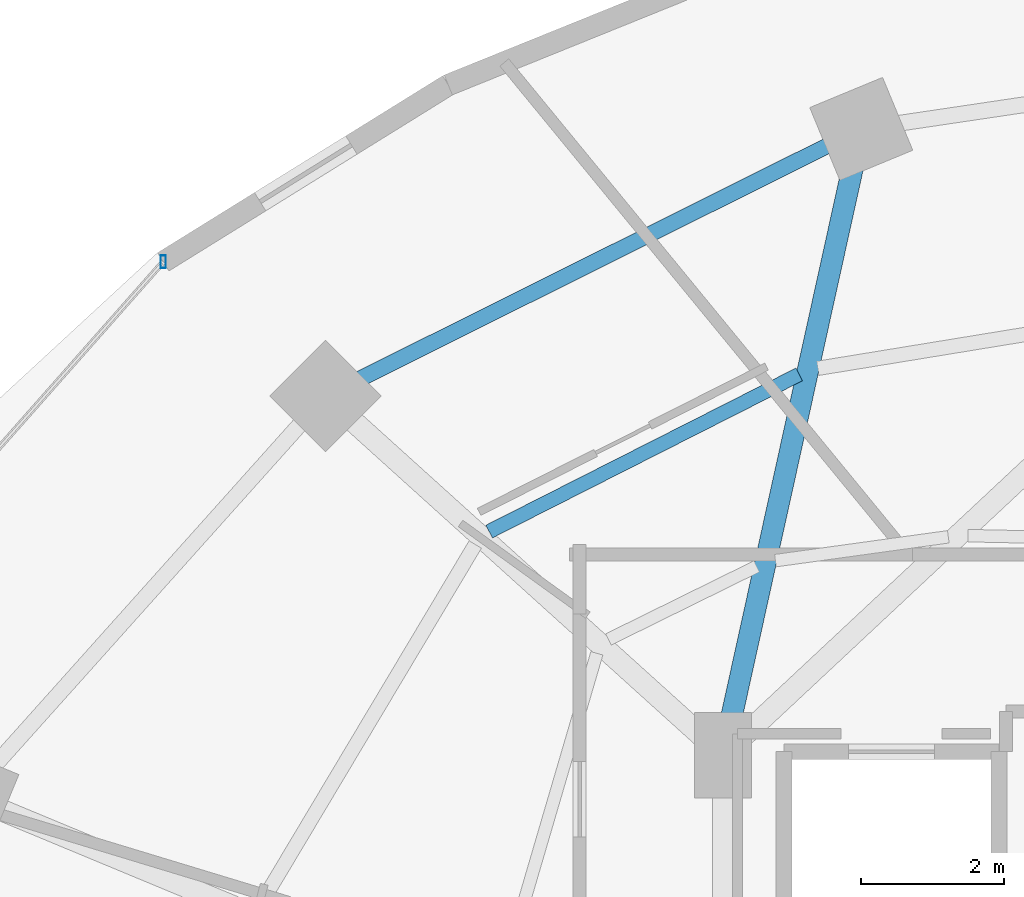
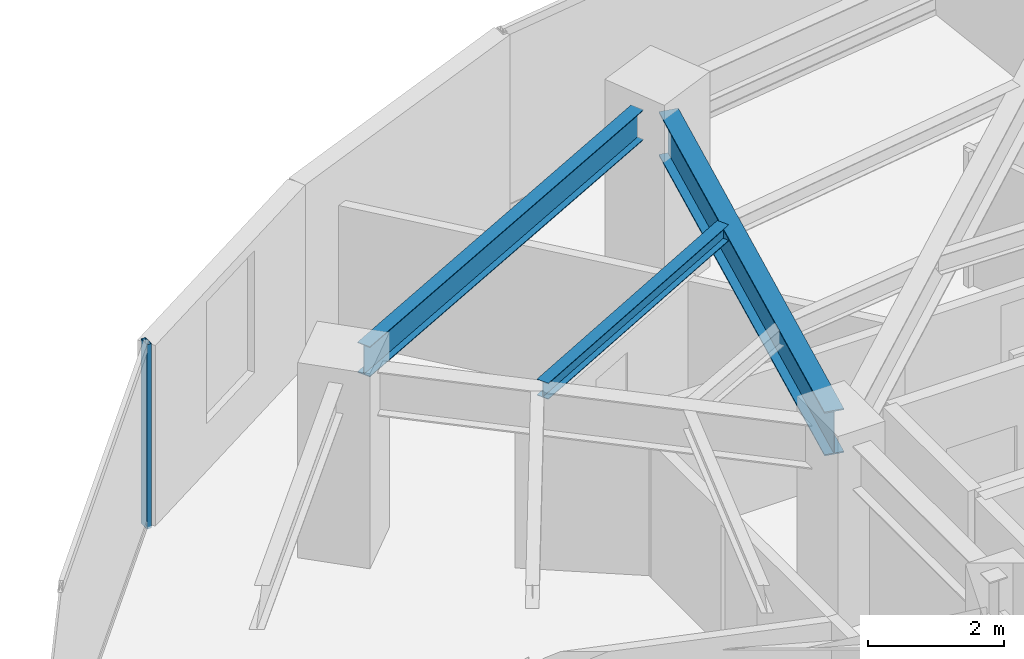
# One storey, part 16 of 29: 3 beams, 1 member, 1 element without a shape of its own.
"""IFC4 building model written with IfcOpenShell, lengths in metres."""

from ifc_helpers import new_model, si_unit, direction, frame, origin, origin_2d, place, context, subcontext, project, spatial, hollow_rectangle, i_section, extrude, material, material_profile, profile_set, type_object, element, aggregate, save


model = new_model("IFC4")

# Units and contexts
model_context = context("Model", 3, precision=1e-05, world=origin(), true_north=direction((0.0, 1.0)))
body_context = subcontext(model_context, "Body", "Model", "MODEL_VIEW")
ifc_project = project(units=[si_unit("LENGTHUNIT", "METRE"), si_unit("AREAUNIT", "SQUARE_METRE"), si_unit("VOLUMEUNIT", "CUBIC_METRE"), si_unit("PLANEANGLEUNIT", "RADIAN"), si_unit("MASSUNIT", "GRAM", prefix="KILO")], contexts=[model_context])

# Site, building, storey
site_placement = place(None, origin())
site = spatial("IfcSite", under=ifc_project, at=site_placement, CompositionType="ELEMENT")
building_placement = place(site_placement, origin())
building = spatial("IfcBuilding", under=site, at=building_placement, Name="Vorneva Point Tower", CompositionType="ELEMENT")
storey_placement = place(building_placement, frame((0.0, 0.0, 117.300048828125)))
storey = spatial("IfcBuildingStorey", under=building, at=storey_placement, Name="L31", CompositionType="ELEMENT", Elevation=117.300048828125)

# Beams
ifc_material_1 = material(Name="Steel S355", Category="steel")
ifc_material_profile_1 = material_profile(ifc_material_1, i_section(OverallWidth=0.300048828125, OverallDepth=0.7880859375, WebThickness=0.014404296875, FlangeThickness=0.02197265625, at=origin_2d()), Name="80Sh1")
ifc_profile_set_1 = profile_set([ifc_material_profile_1], Name="Steel S355")
beam_type_1 = type_object("IfcBeamType", Name="BM-GRD-80Sh1", PredefinedType="USERDEFINED", material=ifc_profile_set_1)
beam_1_placement = place(storey_placement, frame((29.063232421875, 41.365234375, 2.845947265625), z_axis=(-0.215530944428, -0.976497010745, 0.0), x_axis=(0.976497010745, -0.215530944428, 0.0)))
element("IfcBeam", 1, at=beam_1_placement, inside=storey, type_object=beam_type_1, Name="L31 Radial Primary Girder 06", ObjectType="GIRDER", PredefinedType="USERDEFINED", context=body_context, shape_type="SweptSolid", body=[
    extrude(i_section(OverallWidth=0.300048828125, OverallDepth=0.7880859375, WebThickness=0.014404296875, FlangeThickness=0.02197265625, at=origin_2d()), origin(), (0.0, 0.0, 1.0), 8.072998046875),
])
ifc_material_profile_2 = material_profile(ifc_material_1, i_section(OverallWidth=0.199951171875, OverallDepth=0.291015625, WebThickness=0.008056640625, FlangeThickness=0.010986328125, at=origin_2d()), Name="30Sh1")
ifc_profile_set_2 = profile_set([ifc_material_profile_2], Name="Steel S355")
beam_type_2 = type_object("IfcBeamType", Name="BM-SEC-30Sh1", PredefinedType="BEAM", material=ifc_profile_set_2)
beam_2_placement = place(storey_placement, frame((28.313720703125, 38.46484375, 3.094482421875), z_axis=(-0.891957851433, -0.452118558862, 0.0), x_axis=(0.452118558862, -0.891957851433, 0.0)))
element("IfcBeam", 2, at=beam_2_placement, inside=storey, type_object=beam_type_2, Name="L31 Secondary Floor Beam 1.06", PredefinedType="BEAM", context=body_context, shape_type="SweptSolid", body=[
    extrude(i_section(OverallWidth=0.199951171875, OverallDepth=0.291015625, WebThickness=0.008056640625, FlangeThickness=0.010986328125, at=origin_2d()), origin(), (0.0, 0.0, 1.0), 4.851318359375),
])
ifc_material_profile_3 = material_profile(ifc_material_1, i_section(OverallWidth=0.219970703125, OverallDepth=0.54296875, WebThickness=0.009521484375, FlangeThickness=0.013427734375, at=origin_2d()), Name="55B1")
ifc_profile_set_3 = profile_set([ifc_material_profile_3], Name="Steel S355")
beam_type_3 = type_object("IfcBeamType", Name="BM-SPN-55B1", PredefinedType="SPANDREL", material=ifc_profile_set_3)
beam_3_placement = place(storey_placement, frame((28.7001953125, 41.652099609375, 2.968505859375), z_axis=(-0.894915882304, -0.446234874926, 0.0), x_axis=(0.446234874926, -0.894915882304, 0.0)))
element("IfcBeam", 3, at=beam_3_placement, inside=storey, type_object=beam_type_3, Name="L31 Perimeter Spandrel Ring Beam 06", PredefinedType="SPANDREL", context=body_context, shape_type="SweptSolid", body=[
    extrude(i_section(OverallWidth=0.219970703125, OverallDepth=0.54296875, WebThickness=0.009521484375, FlangeThickness=0.013427734375, at=origin_2d()), origin(), (0.0, 0.0, 1.0), 7.285888671875),
])

# Curtain wall, member
ifc_material_2 = material(Name="Pale anodised aluminium", Category="aluminium")
curtain_wall_type = type_object("IfcCurtainWallType", Name="CW-HTL-SYS", PredefinedType="NOTDEFINED", material=ifc_material_2)
curtain_wall_placement = place(storey_placement, origin())
curtain_wall = element("IfcCurtainWall", 4, at=curtain_wall_placement, inside=storey, type_object=curtain_wall_type, Name="L31 Unitised Curtain Wall CW-L31-R02", PredefinedType="NOTDEFINED")
ifc_material_profile_4 = material_profile(ifc_material_2, hollow_rectangle(XDim=0.074951171875, YDim=0.179931640625, WallThickness=0.00390625, at=origin_2d()), Name="AL-MUL 180x75x4")
ifc_profile_set_4 = profile_set([ifc_material_profile_4], Name="Pale anodised aluminium")
member_type = type_object("IfcMemberType", Name="CW-MUL-180", PredefinedType="MULLION", material=ifc_profile_set_4)
member_placement = place(storey_placement, frame((19.4384765625, 40.0361328125, -0.0400390625), z_axis=(0.0, 0.0, 1.0), x_axis=(1.0, 0.0, 0.0)))
member = element("IfcMember", 5, at=member_placement, type_object=member_type, Name="CW-L31-R02 Mullion 01", PredefinedType="MULLION", context=body_context, shape_type="SweptSolid", body=[
    extrude(hollow_rectangle(XDim=0.074951171875, YDim=0.179931640625, WallThickness=0.00390625, at=origin_2d()), origin(), (0.0, 0.0, 1.0), 3.31005859375),
])
aggregate(curtain_wall, [member])

save(model, "model.ifc")
